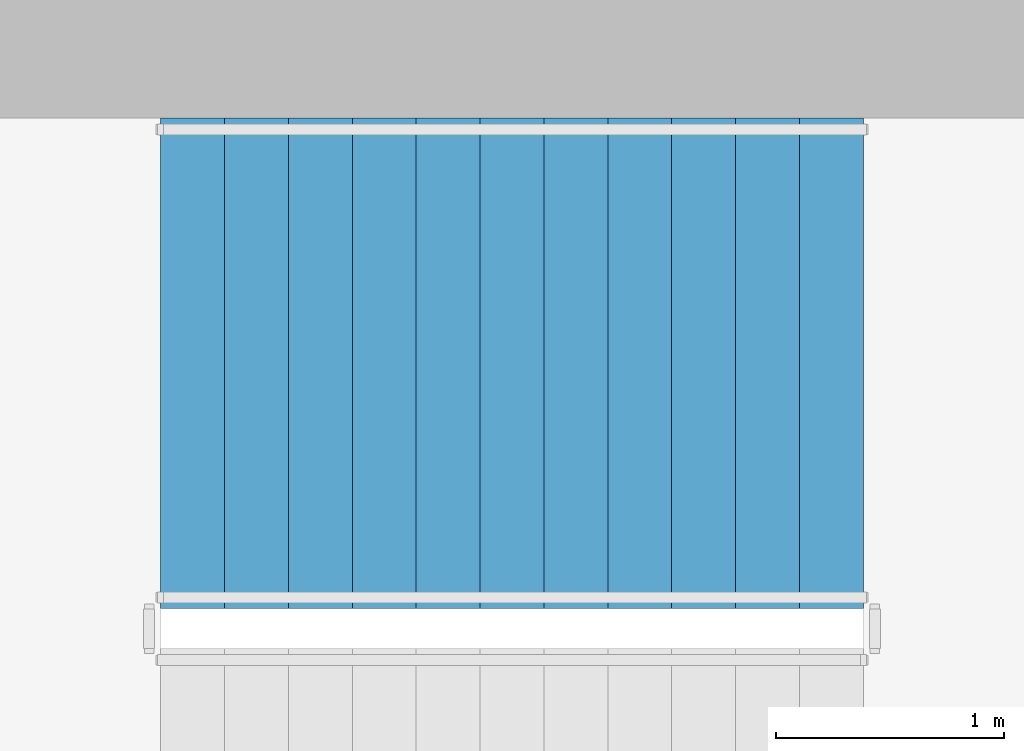
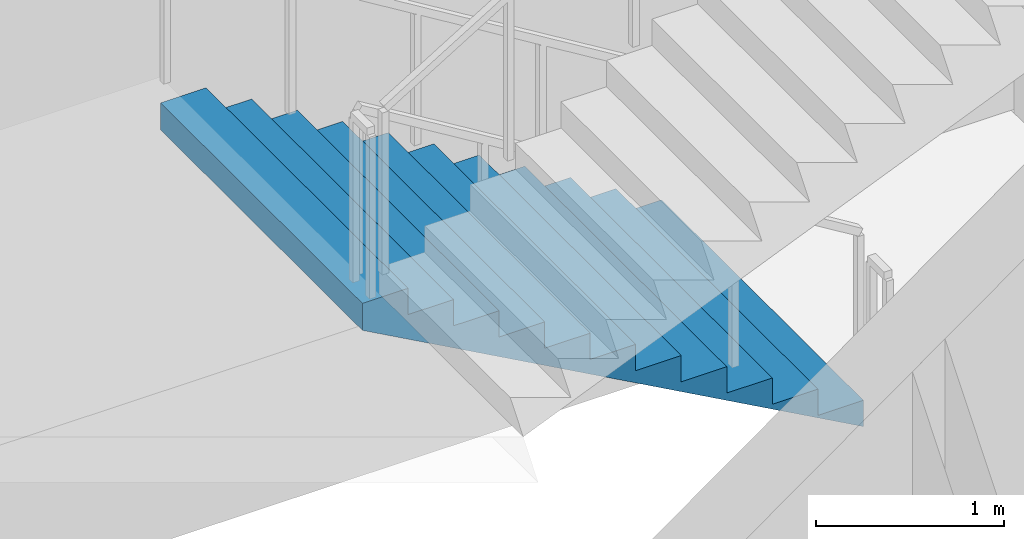
# One storey, part 8 of 14: 1 stair flight, 1 element without a shape of its own.
"""IFC4 building model written with IfcOpenShell, lengths in metres."""

from ifc_helpers import new_model, si_unit, direction, frame, origin, place, context, subcontext, project, spatial, triangles, material, type_object, element, aggregate, save


model = new_model("IFC4")

# Units and contexts
model_context = context("Model", 3, precision=1e-05, world=origin(), true_north=direction((0.0, 1.0)))
body_context = subcontext(model_context, "Body", "Model", "MODEL_VIEW")
ifc_project = project(units=[si_unit("LENGTHUNIT", "METRE"), si_unit("AREAUNIT", "SQUARE_METRE"), si_unit("VOLUMEUNIT", "CUBIC_METRE"), si_unit("PLANEANGLEUNIT", "RADIAN"), si_unit("MASSUNIT", "GRAM", prefix="KILO")], contexts=[model_context])

# Site, building, storey
site_placement = place(None, origin())
site = spatial("IfcSite", under=ifc_project, at=site_placement, CompositionType="ELEMENT")
building_placement = place(site_placement, origin())
building = spatial("IfcBuilding", under=site, at=building_placement, Name="Cypress Arch Tower", CompositionType="ELEMENT")
storey_placement = place(building_placement, frame((0.0, 0.0, 185.10009765625)))
storey = spatial("IfcBuildingStorey", under=building, at=storey_placement, Name="L40", CompositionType="ELEMENT", Elevation=185.10009765625)

# Stair, stair flight
ifc_material_1 = material(Name="Concrete C40/50", Category="concrete")
stair_type = type_object("IfcStairType", Name="Exit stair ES1708-215", PredefinedType="HALF_TURN_STAIR", material=ifc_material_1)
stair_placement = place(storey_placement, origin())
stair = element("IfcStair", 1, at=stair_placement, inside=storey, type_object=stair_type, Name="L40 Exit stair B", PredefinedType="HALF_TURN_STAIR")
ifc_material_2 = material(Name="Concrete C40/50", Category="concrete")
stair_flight_type = type_object("IfcStairFlightType", Name="Exit stair flight ES1708-215", PredefinedType="STRAIGHT", material=ifc_material_2)
stair_flight_placement = place(storey_placement, frame((-22.27490234375, 13.72509765625, 0.0), z_axis=(0.0, 0.0, 1.0), x_axis=(-1.0, 0.0, 0.0)))
stair_flight = element("IfcStairFlight", 2, at=stair_flight_placement, type_object=stair_flight_type, Name="B flight 1", NumberOfRisers=12, NumberOfTreads=11, PredefinedType="STRAIGHT", RiserHeight=0.170833333, TreadLength=0.28, context=body_context, shape_type="Tessellation", body=[
    triangles([(0.0, -1.074951171875, 0.0), (0.000244140625, -1.074951171875, 0.01904296875), (0.000244140625, -1.074951171875, 0.0380859375), (0.00048828125, -1.074951171875, 0.056884765625), (0.00048828125, -1.074951171875, 0.075927734375), (0.00048828125, -1.074951171875, 0.094970703125), (0.00048828125, -1.074951171875, 0.114013671875), (0.000244140625, -1.074951171875, 0.1328125), (0.000244140625, -1.074951171875, 0.15185546875), (0.0, -1.074951171875, 0.1708984375), (0.280029296875, -1.074951171875, 0.1708984375), (0.280029296875, -1.074951171875, 0.341552734375), (0.56005859375, -1.074951171875, 0.341552734375), (0.56005859375, -1.074951171875, 0.512451171875), (0.840087890625, -1.074951171875, 0.512451171875), (0.840087890625, -1.074951171875, 0.683349609375), (1.1201171875, -1.074951171875, 0.683349609375), (1.1201171875, -1.074951171875, 0.854248046875), (1.39990234375, -1.074951171875, 0.854248046875), (1.39990234375, -1.074951171875, 1.02490234375), (1.679931640625, -1.074951171875, 1.02490234375), (1.679931640625, -1.074951171875, 1.19580078125), (1.9599609375, -1.074951171875, 1.19580078125), (1.9599609375, -1.074951171875, 1.36669921875), (2.239990234375, -1.074951171875, 1.36669921875), (2.239990234375, -1.074951171875, 1.53759765625), (2.52001953125, -1.074951171875, 1.53759765625), (2.52001953125, -1.074951171875, 1.708251953125), (2.800048828125, -1.074951171875, 1.708251953125), (2.800048828125, -1.074951171875, 1.879150390625), (3.080078125, -1.074951171875, 1.879150390625), (3.079833984375, -1.074951171875, 1.859619140625), (3.079833984375, -1.074951171875, 1.840087890625), (3.07958984375, -1.074951171875, 1.820556640625), (3.07958984375, -1.074951171875, 1.801025390625), (3.07958984375, -1.074951171875, 1.78173828125), (3.07958984375, -1.074951171875, 1.76220703125), (3.079833984375, -1.074951171875, 1.74267578125), (3.079833984375, -1.074951171875, 1.72314453125), (3.080078125, -1.074951171875, 1.70361328125), (3.080078125, 1.074951171875, 1.70361328125), (3.079833984375, 1.074951171875, 1.72314453125), (3.079833984375, 1.074951171875, 1.74267578125), (3.07958984375, 1.074951171875, 1.76220703125), (3.07958984375, 1.074951171875, 1.78173828125), (3.07958984375, 1.074951171875, 1.801025390625), (3.07958984375, 1.074951171875, 1.820556640625), (3.079833984375, 1.074951171875, 1.840087890625), (3.079833984375, 1.074951171875, 1.859619140625), (3.080078125, 1.074951171875, 1.879150390625), (2.800048828125, 1.074951171875, 1.879150390625), (2.800048828125, 1.074951171875, 1.708251953125), (2.52001953125, 1.074951171875, 1.708251953125), (2.52001953125, 1.074951171875, 1.53759765625), (2.239990234375, 1.074951171875, 1.53759765625), (2.239990234375, 1.074951171875, 1.36669921875), (1.9599609375, 1.074951171875, 1.36669921875), (1.9599609375, 1.074951171875, 1.19580078125), (1.679931640625, 1.074951171875, 1.19580078125), (1.679931640625, 1.074951171875, 1.02490234375), (1.39990234375, 1.074951171875, 1.02490234375), (1.39990234375, 1.074951171875, 0.854248046875), (1.1201171875, 1.074951171875, 0.854248046875), (1.1201171875, 1.074951171875, 0.683349609375), (0.840087890625, 1.074951171875, 0.683349609375), (0.840087890625, 1.074951171875, 0.512451171875), (0.56005859375, 1.074951171875, 0.512451171875), (0.56005859375, 1.074951171875, 0.341552734375), (0.280029296875, 1.074951171875, 0.341552734375), (0.280029296875, 1.074951171875, 0.1708984375), (0.0, 1.074951171875, 0.1708984375), (0.000244140625, 1.074951171875, 0.15185546875), (0.000244140625, 1.074951171875, 0.1328125), (0.00048828125, 1.074951171875, 0.114013671875), (0.00048828125, 1.074951171875, 0.094970703125), (0.00048828125, 1.074951171875, 0.075927734375), (0.00048828125, 1.074951171875, 0.056884765625), (0.000244140625, 1.074951171875, 0.0380859375), (0.000244140625, 1.074951171875, 0.01904296875), (0.0, 1.074951171875, 0.0)], [[40, 39, 30], [39, 38, 30], [38, 37, 30], [37, 36, 30], [36, 35, 30], [35, 34, 30], [34, 33, 30], [33, 32, 30], [32, 31, 30], [19, 18, 17], [27, 26, 25], [25, 24, 23], [23, 22, 21], [17, 16, 15], [15, 14, 13], [10, 9, 11], [9, 8, 11], [8, 7, 11], [7, 6, 11], [6, 5, 11], [5, 4, 11], [4, 3, 11], [3, 2, 11], [2, 1, 11], [29, 28, 27], [21, 20, 19], [13, 12, 11], [40, 30, 29], [40, 29, 27], [40, 27, 25], [40, 25, 23], [40, 23, 21], [40, 21, 19], [40, 19, 17], [40, 17, 15], [40, 15, 13], [1, 40, 13], [13, 11, 1], [41, 51, 42], [42, 51, 43], [43, 51, 44], [44, 51, 45], [45, 51, 46], [46, 51, 47], [47, 51, 48], [48, 51, 49], [49, 51, 50], [62, 64, 63], [54, 56, 55], [56, 58, 57], [58, 60, 59], [64, 66, 65], [66, 68, 67], [71, 70, 72], [72, 70, 73], [73, 70, 74], [74, 70, 75], [75, 70, 76], [76, 70, 77], [77, 70, 78], [78, 70, 79], [79, 70, 80], [52, 54, 53], [60, 62, 61], [68, 70, 69], [41, 52, 51], [41, 54, 52], [41, 56, 54], [41, 58, 56], [41, 60, 58], [41, 62, 60], [41, 64, 62], [41, 66, 64], [41, 68, 66], [80, 68, 41], [68, 80, 70], [41, 42, 39], [41, 39, 40], [42, 43, 38], [42, 38, 39], [43, 44, 37], [43, 37, 38], [44, 45, 36], [44, 36, 37], [45, 46, 35], [45, 35, 36], [46, 47, 34], [46, 34, 35], [47, 48, 33], [47, 33, 34], [48, 49, 32], [48, 32, 33], [49, 50, 31], [49, 31, 32], [50, 51, 30], [50, 30, 31], [51, 52, 29], [51, 29, 30], [52, 53, 28], [52, 28, 29], [53, 54, 27], [53, 27, 28], [54, 55, 26], [54, 26, 27], [55, 56, 25], [55, 25, 26], [56, 57, 24], [56, 24, 25], [57, 58, 23], [57, 23, 24], [58, 59, 22], [58, 22, 23], [59, 60, 21], [59, 21, 22], [60, 61, 20], [60, 20, 21], [61, 62, 19], [61, 19, 20], [62, 63, 18], [62, 18, 19], [63, 64, 17], [63, 17, 18], [64, 65, 16], [64, 16, 17], [65, 66, 15], [65, 15, 16], [66, 67, 14], [66, 14, 15], [67, 68, 13], [67, 13, 14], [68, 69, 12], [68, 12, 13], [69, 70, 11], [69, 11, 12], [70, 71, 10], [70, 10, 11], [71, 72, 9], [71, 9, 10], [72, 73, 8], [72, 8, 9], [73, 74, 7], [73, 7, 8], [74, 75, 6], [74, 6, 7], [75, 76, 5], [75, 5, 6], [76, 77, 4], [76, 4, 5], [77, 78, 3], [77, 3, 4], [78, 79, 2], [78, 2, 3], [79, 80, 1], [79, 1, 2], [80, 41, 40], [80, 40, 1]], closed=True),
])
aggregate(stair, [stair_flight])

save(model, "model.ifc")
